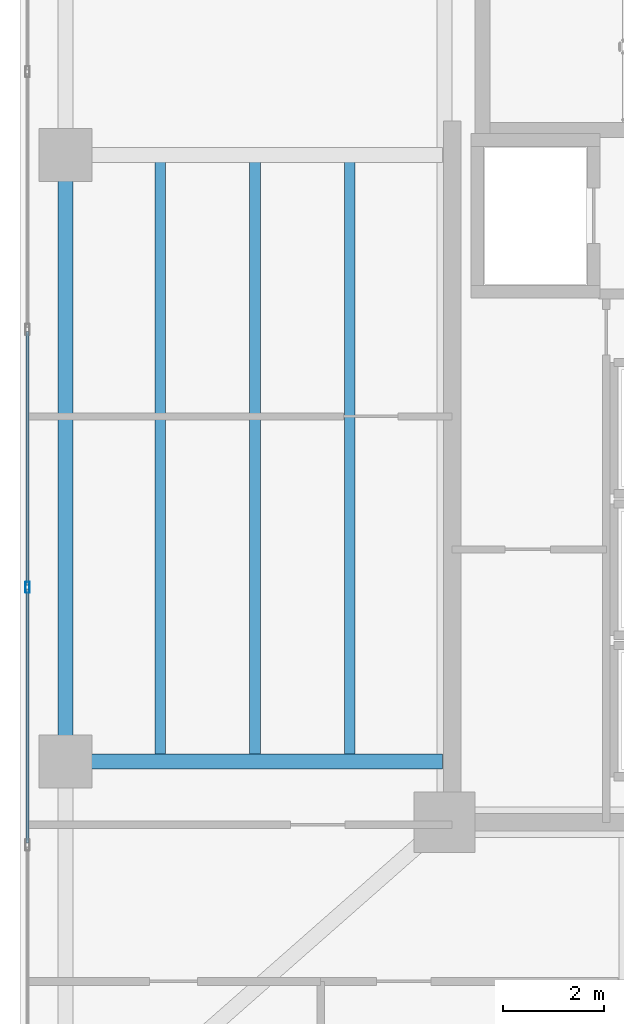
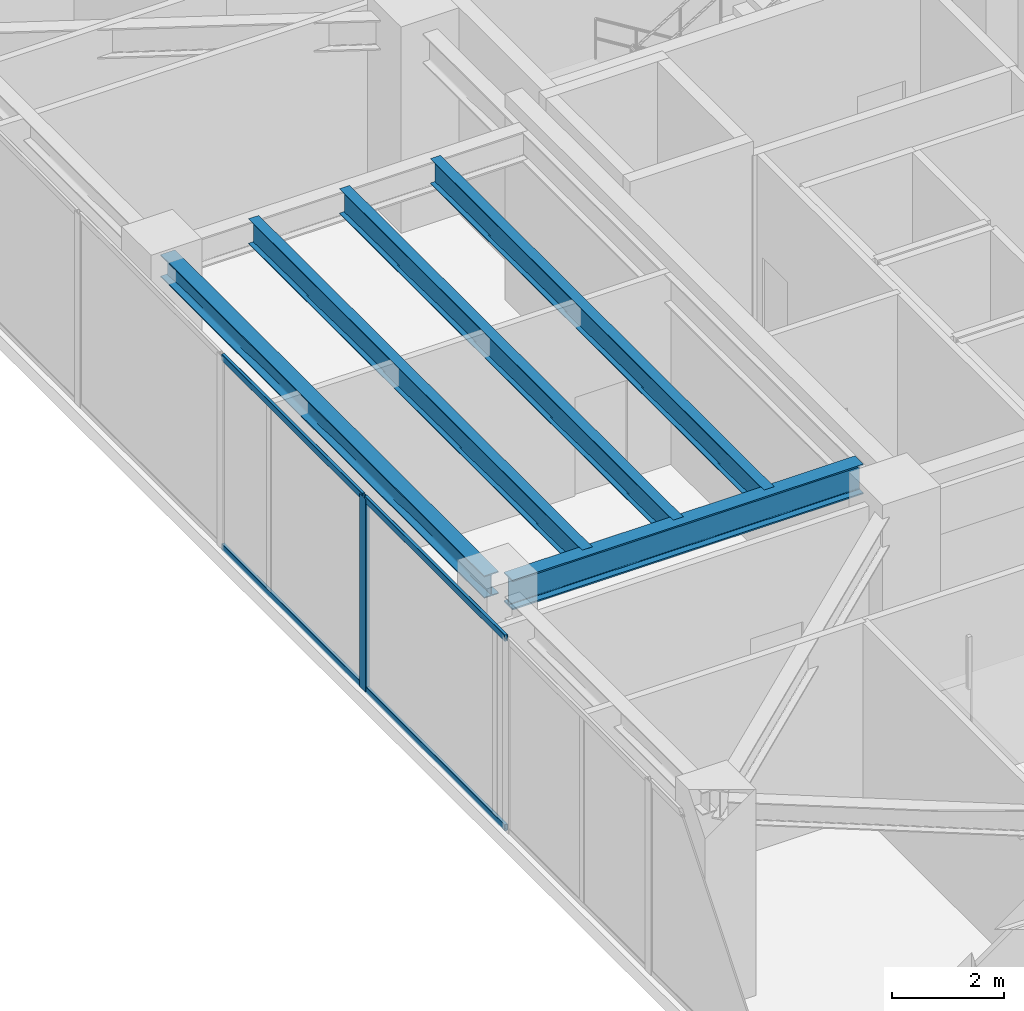
# One storey, part 8 of 38: 5 beams, 5 members, 1 element without a shape of its own.
"""IFC4 building model written with IfcOpenShell, lengths in metres."""

import ifcopenshell
import ifcopenshell.guid

model = None  # the IFC model being written
_history = None  # IfcOwnerHistory: only IFC2X3 demands one
_inside = {}  # id of a spatial element -> (the spatial element, [elements in it])
_under = {}  # id of a project, library or spatial element -> (it, [spatial elements below it])
_declared = {}  # id of a project -> (the project, [libraries it declares])
_typed = {}  # id of a type object -> (the type object, [elements of that type])
_made_of = {}  # id of a material, layer set ... -> (it, [elements and type objects made of it])


def new_model(schema):
    """Start an empty IFC model of exactly this schema.

    Asked for "IFC4X3", IfcOpenShell would pick the latest addendum, in which some entities
    have other attributes; the version numbers below select the first issue.
    IFC2X3 requires an IfcOwnerHistory on every rooted entity: one is made here for all.
    """
    global model, _history
    if schema == "IFC4X3":
        model = ifcopenshell.file(schema_version=(4, 3, 0, 0))
    else:
        model = ifcopenshell.file(schema=schema)
    _inside.clear()
    _under.clear()
    _declared.clear()
    _typed.clear()
    _made_of.clear()
    _history = None
    if model.schema == "IFC2X3":
        org = make("IfcOrganization", Name="unknown")
        user = make(
            "IfcPersonAndOrganization",
            ThePerson=make("IfcPerson", FamilyName="unknown"),
            TheOrganization=org,
        )
        app = make(
            "IfcApplication",
            ApplicationDeveloper=org,
            Version="unknown",
            ApplicationFullName="unknown",
            ApplicationIdentifier="unknown",
        )
        _history = make(
            "IfcOwnerHistory",
            OwningUser=user,
            OwningApplication=app,
            ChangeAction="ADDED",
            CreationDate=0,
        )
    return model


def make(cls, **values):
    """One entity of the class cls with the attributes given. An attribute that is None is left unset."""
    return model.create_entity(
        cls, **{name: value for name, value in values.items() if value is not None}
    )


def rooted(cls, **values):
    """An entity with a GlobalId (a new one), such as an element, a storey or a relation."""
    return make(cls, GlobalId=ifcopenshell.guid.new(), OwnerHistory=_history, **values)


def si_unit(unit_type, name, prefix=None):
    """IfcSIUnit, for example si_unit("LENGTHUNIT", "METRE", prefix="MILLI")."""
    return make("IfcSIUnit", UnitType=unit_type, Prefix=prefix, Name=name)


def assignment(units):
    """IfcUnitAssignment: the units of a project."""
    return None if units is None else make("IfcUnitAssignment", Units=units)


def point(xyz):
    """IfcCartesianPoint."""
    return None if xyz is None else make("IfcCartesianPoint", Coordinates=xyz)


def direction(xyz):
    """IfcDirection."""
    return None if xyz is None else make("IfcDirection", DirectionRatios=xyz)


def frame(location, z_axis=None, x_axis=None):
    """IfcAxis2Placement3D, a coordinate frame: its origin and axes. An axis left out is left unset."""
    return make(
        "IfcAxis2Placement3D",
        Location=point(location),
        Axis=direction(z_axis),
        RefDirection=direction(x_axis),
    )


def frame_2d(location, x_axis=None):
    """IfcAxis2Placement2D, a coordinate frame in the plane: its origin and x axis."""
    return make(
        "IfcAxis2Placement2D", Location=point(location), RefDirection=direction(x_axis)
    )


def origin():
    """The frame at (0, 0, 0) with its axes left unset."""
    return frame((0.0, 0.0, 0.0))


def origin_2d():
    """The frame at (0, 0) in the plane with its x axis left unset."""
    return frame_2d((0.0, 0.0))


def place(relative_to, where):
    """IfcLocalPlacement: puts the frame where relative to a parent placement (None: the world)."""
    return make(
        "IfcLocalPlacement", PlacementRelTo=relative_to, RelativePlacement=where
    )


def context(
    kind, dimensions, precision=None, world=None, true_north=None, identifier=None
):
    """IfcGeometricRepresentationContext, for example the 3D "Model" context."""
    return make(
        "IfcGeometricRepresentationContext",
        ContextIdentifier=identifier,
        ContextType=kind,
        CoordinateSpaceDimension=dimensions,
        Precision=precision,
        WorldCoordinateSystem=world,
        TrueNorth=true_north,
    )


def subcontext(parent, identifier, kind, view, scale=None):
    """IfcGeometricRepresentationSubContext, for example "Body" below "Model"."""
    return make(
        "IfcGeometricRepresentationSubContext",
        ContextIdentifier=identifier,
        ContextType=kind,
        ParentContext=parent,
        TargetScale=scale,
        TargetView=view,
    )


def project(units=None, contexts=None):
    """IfcProject with its units and contexts."""
    return rooted(
        "IfcProject",
        Name="project",
        RepresentationContexts=contexts,
        UnitsInContext=assignment(units),
    )


def spatial(cls, under=None, at=None, **own):
    """A site, building, storey or space (cls), placed at a placement, below another one or the project."""
    s = rooted(cls, ObjectPlacement=at, **own)
    if under is not None:
        _under.setdefault(under.id(), (under, []))[1].append(s)
    return s


def profile(cls, at=None, kind="AREA", **sizes):
    """A parametric profile (cls). Its sizes go by their IFC names, for example OverallWidth=200.0."""
    return make(cls, ProfileType=kind, Position=at, **sizes)


def hollow_rectangle(**sizes):
    """IfcRectangleHollowProfileDef."""
    return profile("IfcRectangleHollowProfileDef", **sizes)


def i_section(**sizes):
    """IfcIShapeProfileDef."""
    return profile("IfcIShapeProfileDef", **sizes)


def extrude(swept, where, along, depth):
    """IfcExtrudedAreaSolid: the profile swept, set in the frame where, extruded along a direction by depth."""
    return make(
        "IfcExtrudedAreaSolid",
        SweptArea=swept,
        Position=where,
        ExtrudedDirection=direction(along),
        Depth=depth,
    )


def shape(context_of_items, identifier, shape_type, items):
    """IfcShapeRepresentation: the items that make up one representation, for example the "Body"."""
    return make(
        "IfcShapeRepresentation",
        ContextOfItems=context_of_items,
        RepresentationIdentifier=identifier,
        RepresentationType=shape_type,
        Items=items,
    )


def material(Name=None, Category=None):
    """IfcMaterial."""
    return make("IfcMaterial", Name=Name, Category=Category)


def layer(
    of_material, thickness, ventilated=None, Name=None, Category=None, Priority=None
):
    """IfcMaterialLayer: one layer of a wall or slab, of a material (None: an air gap)."""
    return make(
        "IfcMaterialLayer",
        Material=of_material,
        LayerThickness=thickness,
        IsVentilated=ventilated,
        Name=Name,
        Category=Category,
        Priority=Priority,
    )


def layer_set(layers, Name=None):
    """IfcMaterialLayerSet."""
    return make("IfcMaterialLayerSet", MaterialLayers=layers, LayerSetName=Name)


def material_profile(
    of_material, cross_section, Name=None, Category=None, Priority=None
):
    """IfcMaterialProfile: a cross section and its material."""
    return make(
        "IfcMaterialProfile",
        Name=Name,
        Material=of_material,
        Profile=cross_section,
        Priority=Priority,
        Category=Category,
    )


def profile_set(profiles, Name=None, composite=None):
    """IfcMaterialProfileSet."""
    return make(
        "IfcMaterialProfileSet",
        Name=Name,
        MaterialProfiles=profiles,
        CompositeProfile=composite,
    )


def made_of(thing, what):
    """Note that an element or type object is made of a material, layer set ...; save() writes the relation."""
    if what is not None:
        _made_of.setdefault(what.id(), (what, []))[1].append(thing)
    return thing


def type_object(cls, material=None, **own):
    """A type object (cls), such as IfcWallType, which elements share."""
    return made_of(rooted(cls, **own), material)


def element(
    cls,
    number,
    at=None,
    inside=None,
    cuts=None,
    type_object=None,
    material=None,
    context=None,
    identifier="Body",
    shape_type=None,
    held_by="IfcProductDefinitionShape",
    body=None,
    shapes=None,
    **own,
):
    """One element of the class cls, such as IfcWall. Its Tag is "e" and its number.

    at: its placement. inside: the storey or other place that contains it. cuts: it is an
    opening in that element (IfcRelVoidsElement). A single representation is given by context,
    identifier, shape_type and body (its items); several are given by shapes. held_by: the class
    of the entity that holds the representations. save() writes the other relations.
    """
    e = rooted(cls, Tag="e%d" % number, ObjectPlacement=at, **own)
    if body is not None:
        shapes = [shape(context, identifier, shape_type, body)]
    if shapes is not None:
        e.Representation = make(held_by, Representations=shapes)
    if inside is not None:
        _inside.setdefault(inside.id(), (inside, []))[1].append(e)
    if cuts is not None:
        rooted(
            "IfcRelVoidsElement", RelatingBuildingElement=cuts, RelatedOpeningElement=e
        )
    if type_object is not None:
        _typed.setdefault(type_object.id(), (type_object, []))[1].append(e)
    return made_of(e, material)


def aggregate(whole, parts):
    """IfcRelAggregates: a whole, such as a stair, and the parts it consists of."""
    return rooted("IfcRelAggregates", RelatingObject=whole, RelatedObjects=parts)


def save(model, path):
    """Write the relations noted so far, then the file.

    IfcRelAggregates (storeys below a building ...), IfcRelContainedInSpatialStructure (elements
    in a storey), IfcRelDefinesByType, IfcRelAssociatesMaterial and IfcRelDeclares: one each for
    every whole, place, type object, material and project.
    """
    for whole, parts in _under.values():
        aggregate(whole, parts)
    for where, things in _inside.values():
        rooted(
            "IfcRelContainedInSpatialStructure",
            RelatedElements=things,
            RelatingStructure=where,
        )
    for kind, things in _typed.values():
        rooted("IfcRelDefinesByType", RelatedObjects=things, RelatingType=kind)
    for what, things in _made_of.values():
        rooted("IfcRelAssociatesMaterial", RelatedObjects=things, RelatingMaterial=what)
    for by, libraries in _declared.values():
        rooted("IfcRelDeclares", RelatingContext=by, RelatedDefinitions=libraries)
    model.write(path)


model = new_model("IFC4")

# Units and contexts
model_context = context("Model", 3, precision=1e-05, world=origin(), true_north=direction((0.0, 1.0)))
body_context = subcontext(model_context, "Body", "Model", "MODEL_VIEW")
ifc_project = project(units=[si_unit("LENGTHUNIT", "METRE"), si_unit("AREAUNIT", "SQUARE_METRE"), si_unit("VOLUMEUNIT", "CUBIC_METRE"), si_unit("PLANEANGLEUNIT", "RADIAN"), si_unit("MASSUNIT", "GRAM", prefix="KILO")], contexts=[model_context])

# Site, building, storey
site_placement = place(None, origin())
site = spatial("IfcSite", under=ifc_project, at=site_placement, CompositionType="ELEMENT")
building_placement = place(site_placement, origin())
building = spatial("IfcBuilding", under=site, at=building_placement, Name="Tarnavaz Court Tower", CompositionType="ELEMENT")
storey_placement = place(building_placement, frame((0.0, 0.0, 123.0)))
storey = spatial("IfcBuildingStorey", under=building, at=storey_placement, Name="L33", CompositionType="ELEMENT", Elevation=123.0)

# Beams
ifc_material_1 = material(Name="Steel S355", Category="steel")
ifc_material_profile_1 = material_profile(ifc_material_1, i_section(OverallWidth=0.300048828125, OverallDepth=0.64990234375, WebThickness=0.01611328125, FlangeThickness=0.031005859375, FilletRadius=0.027099609375, at=origin_2d()), Name="HEB 650")
ifc_profile_set_1 = profile_set([ifc_material_profile_1], Name="Steel S355")
beam_type_1 = type_object("IfcBeamType", Name="BM-G-HEB650", PredefinedType="USERDEFINED", material=ifc_profile_set_1)
beam_1_placement = place(storey_placement, frame((-18.639892578125, -6.0, 3.875), z_axis=(-1.0, 0.0, 0.0), x_axis=(0.0, -1.0, 0.0)))
element("IfcBeam", 1, at=beam_1_placement, inside=storey, type_object=beam_type_1, Name="L33 Beam RG-13", ObjectType="GIRDER", PredefinedType="USERDEFINED", context=body_context, shape_type="SweptSolid", body=[
    extrude(i_section(OverallWidth=0.300048828125, OverallDepth=0.64990234375, WebThickness=0.01611328125, FlangeThickness=0.031005859375, FilletRadius=0.027099609375, at=origin_2d()), origin(), (0.0, 0.0, 1.0), 7.239990234375),
])
ifc_material_profile_2 = material_profile(ifc_material_1, i_section(OverallWidth=0.2099609375, OverallDepth=0.550048828125, WebThickness=0.010986328125, FlangeThickness=0.01708984375, FilletRadius=0.02392578125, at=origin_2d()), Name="IPE 550")
ifc_profile_set_2 = profile_set([ifc_material_profile_2], Name="Steel S355")
beam_type_2 = type_object("IfcBeamType", Name="BM-J-IPE550", PredefinedType="JOIST", material=ifc_profile_set_2)
for number, where, z_axis, x_axis, name in (
    (2, (-20.47509765625, -5.9599609375, 3.925048828125), (0.0, 1.0, 0.0), (-1.0, 0.0, 0.0), "L33 Beam JW1"),
    (3, (-22.35009765625, -5.9599609375, 3.925048828125), (0.0, 1.0, 0.0), (-1.0, 0.0, 0.0), "L33 Beam JW2"),
    (4, (-24.22509765625, -5.9599609375, 3.925048828125), (0.0, 1.0, 0.0), (-1.0, 0.0, 0.0), "L33 Beam JW3"),
):
    element("IfcBeam", number, at=place(storey_placement, frame(where, z_axis=z_axis, x_axis=x_axis)), inside=storey, type_object=beam_type_2, Name=name, PredefinedType="JOIST", context=body_context, shape_type="SweptSolid", body=[
        extrude(i_section(OverallWidth=0.2099609375, OverallDepth=0.550048828125, WebThickness=0.010986328125, FlangeThickness=0.01708984375, FilletRadius=0.02392578125, at=origin_2d()), origin(), (0.0, 0.0, 1.0), 11.919921875),
    ])
ifc_material_profile_3 = material_profile(ifc_material_1, i_section(OverallWidth=0.300048828125, OverallDepth=0.489990234375, WebThickness=0.011962890625, FlangeThickness=0.02294921875, FilletRadius=0.027099609375, at=origin_2d()), Name="HEA 500")
ifc_profile_set_3 = profile_set([ifc_material_profile_3], Name="Steel S355")
beam_type_3 = type_object("IfcBeamType", Name="BM-SP-HEA500", PredefinedType="SPANDREL", material=ifc_profile_set_3)
beam_2_placement = place(storey_placement, frame((-26.10009765625, -5.780029296875, 3.955078125), z_axis=(0.0, 1.0, 0.0), x_axis=(-1.0, 0.0, 0.0)))
element("IfcBeam", 5, at=beam_2_placement, inside=storey, type_object=beam_type_3, Name="L33 Beam PR-PW-2-PW-3", PredefinedType="SPANDREL", context=body_context, shape_type="SweptSolid", body=[
    extrude(i_section(OverallWidth=0.300048828125, OverallDepth=0.489990234375, WebThickness=0.011962890625, FlangeThickness=0.02294921875, FilletRadius=0.027099609375, at=origin_2d()), origin(), (0.0, 0.0, 1.0), 11.56005859375),
])

# Curtain wall, members
ifc_material_2 = material(Name="Anodised Aluminium 6063-T6 and Solar Low-E Glazing", Category="aluminium")
ifc_layer = layer(ifc_material_2, 0.199951171875)
ifc_layer_set = layer_set([ifc_layer], Name="Anodised Aluminium 6063-T6 and Solar Low-E Glazing")
curtain_wall_type = type_object("IfcCurtainWallType", Name="CW-SYS-05", PredefinedType="NOTDEFINED", material=ifc_layer_set)
curtain_wall_placement = place(storey_placement, origin())
curtain_wall = element("IfcCurtainWall", 6, at=curtain_wall_placement, inside=storey, type_object=curtain_wall_type, Name="L33 Sky-Portal Curtain Wall 2", PredefinedType="NOTDEFINED")
ifc_material_3 = material(Name="Anodised Aluminium 6063-T6", Category="aluminium")
ifc_material_profile_4 = material_profile(ifc_material_3, hollow_rectangle(XDim=0.0849609375, YDim=0.219970703125, WallThickness=0.006103515625, InnerFilletRadius=0.006103515625, OuterFilletRadius=0.011962890625, at=origin_2d()), Name="ALU RHS 220X85X6")
ifc_profile_set_4 = profile_set([ifc_material_profile_4], Name="Anodised Aluminium 6063-T6")
member_type_1 = type_object("IfcMemberType", Name="CW-MUL-220", PredefinedType="MULLION", material=ifc_profile_set_4)
member_1_placement = place(storey_placement, frame((-26.85009765625, -2.550048828125, 0.0), z_axis=(0.0, 0.0, 1.0), x_axis=(-1.0, 0.0, 0.0)))
member_1 = element("IfcMember", 7, at=member_1_placement, type_object=member_type_1, Name="CW mullion 4", PredefinedType="MULLION", context=body_context, shape_type="SweptSolid", body=[
    extrude(hollow_rectangle(XDim=0.0849609375, YDim=0.219970703125, WallThickness=0.006103515625, InnerFilletRadius=0.006103515625, OuterFilletRadius=0.011962890625, at=origin_2d()), origin(), (0.0, 0.0, 1.0), 4.199951171875),
])
ifc_material_profile_5 = material_profile(ifc_material_3, hollow_rectangle(XDim=0.06494140625, YDim=0.139892578125, WallThickness=0.00390625, InnerFilletRadius=0.00390625, OuterFilletRadius=0.008056640625, at=origin_2d()), Name="ALU RHS 140X65X4")
ifc_profile_set_5 = profile_set([ifc_material_profile_5], Name="Anodised Aluminium 6063-T6")
member_type_2 = type_object("IfcMemberType", Name="CW-TRN-140", PredefinedType="USERDEFINED", material=ifc_profile_set_5)
member_2_placement = place(storey_placement, frame((-26.85009765625, -7.607421875, 0.032470703125), z_axis=(0.0, 1.0, 0.0), x_axis=(-1.0, 0.0, 0.0)))
member_2 = element("IfcMember", 8, at=member_2_placement, type_object=member_type_2, Name="CW transom 3.1", ObjectType="TRANSOM", PredefinedType="USERDEFINED", context=body_context, shape_type="SweptSolid", body=[
    extrude(hollow_rectangle(XDim=0.06494140625, YDim=0.139892578125, WallThickness=0.00390625, InnerFilletRadius=0.00390625, OuterFilletRadius=0.008056640625, at=origin_2d()), origin(), (0.0, 0.0, 1.0), 5.014892578125),
])
member_3_placement = place(storey_placement, frame((-26.85009765625, -7.607421875, 4.16748046875), z_axis=(0.0, 1.0, 0.0), x_axis=(-1.0, 0.0, 0.0)))
member_3 = element("IfcMember", 9, at=member_3_placement, type_object=member_type_2, Name="CW transom 3.2", ObjectType="TRANSOM", PredefinedType="USERDEFINED", context=body_context, shape_type="SweptSolid", body=[
    extrude(hollow_rectangle(XDim=0.06494140625, YDim=0.139892578125, WallThickness=0.00390625, InnerFilletRadius=0.00390625, OuterFilletRadius=0.008056640625, at=origin_2d()), origin(), (0.0, 0.0, 1.0), 5.014892578125),
])
member_4_placement = place(storey_placement, frame((-26.85009765625, -2.507568359375, 0.032470703125), z_axis=(0.0, 1.0, 0.0), x_axis=(-1.0, 0.0, 0.0)))
member_4 = element("IfcMember", 10, at=member_4_placement, type_object=member_type_2, Name="CW transom 4.1", ObjectType="TRANSOM", PredefinedType="USERDEFINED", context=body_context, shape_type="SweptSolid", body=[
    extrude(hollow_rectangle(XDim=0.06494140625, YDim=0.139892578125, WallThickness=0.00390625, InnerFilletRadius=0.00390625, OuterFilletRadius=0.008056640625, at=origin_2d()), origin(), (0.0, 0.0, 1.0), 5.01513671875),
])
member_5_placement = place(storey_placement, frame((-26.85009765625, -2.507568359375, 4.16748046875), z_axis=(0.0, 1.0, 0.0), x_axis=(-1.0, 0.0, 0.0)))
member_5 = element("IfcMember", 11, at=member_5_placement, type_object=member_type_2, Name="CW transom 4.2", ObjectType="TRANSOM", PredefinedType="USERDEFINED", context=body_context, shape_type="SweptSolid", body=[
    extrude(hollow_rectangle(XDim=0.06494140625, YDim=0.139892578125, WallThickness=0.00390625, InnerFilletRadius=0.00390625, OuterFilletRadius=0.008056640625, at=origin_2d()), origin(), (0.0, 0.0, 1.0), 5.01513671875),
])
aggregate(curtain_wall, [member_1, member_2, member_3, member_4, member_5])

save(model, "model.ifc")
